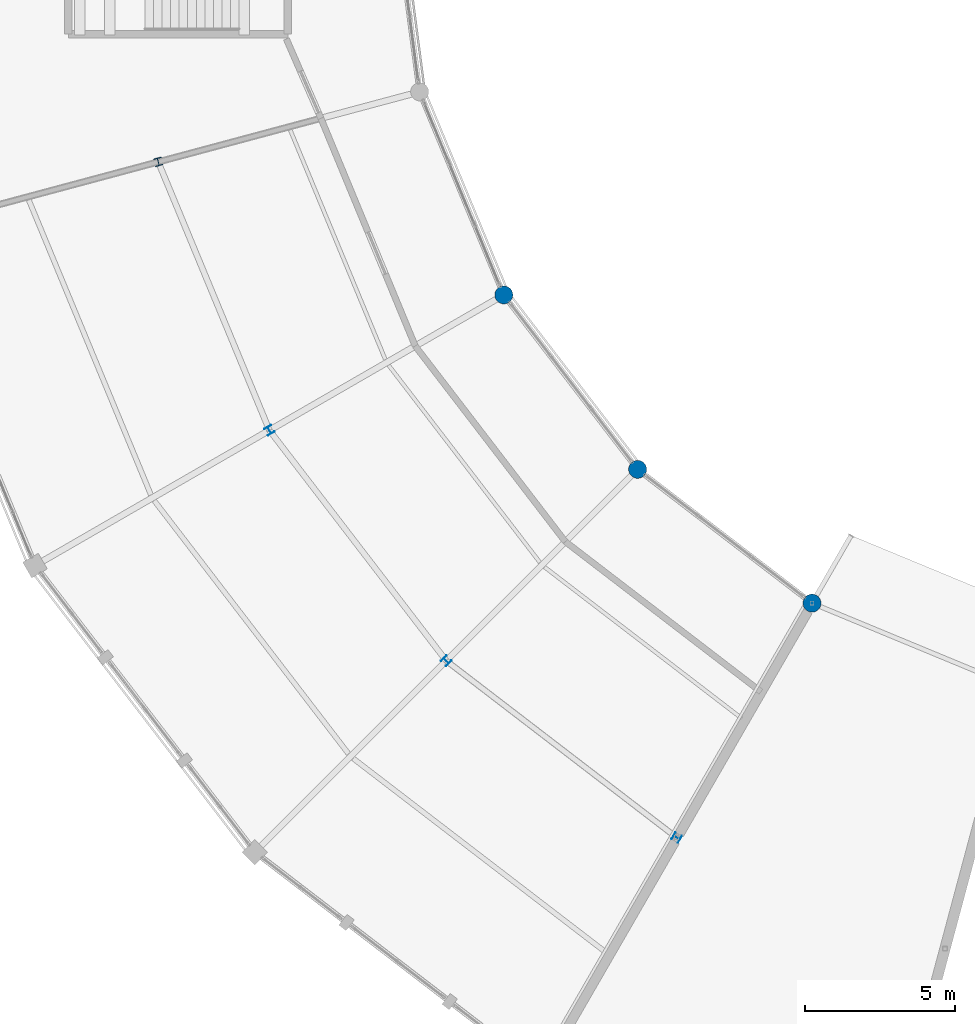
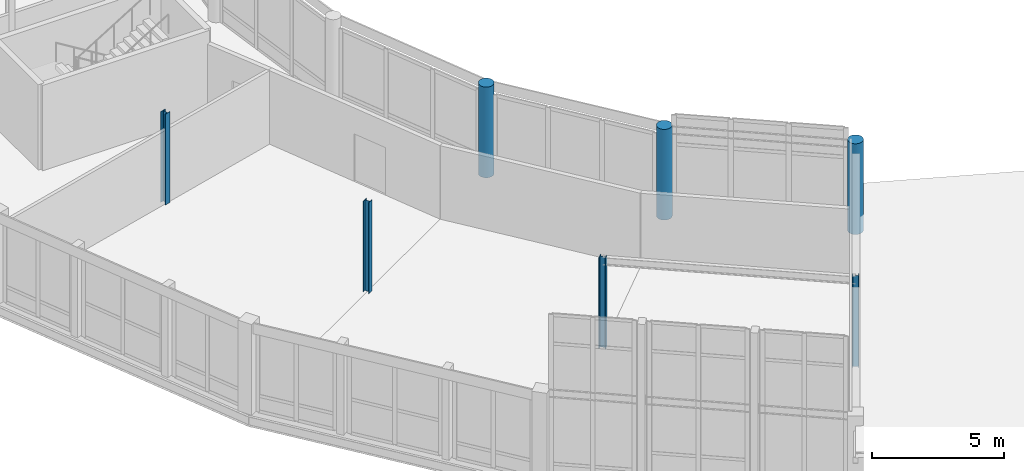
# One storey, part 4 of 185: 7 columns.
"""IFC4 building model written with IfcOpenShell, lengths in metres."""

from ifc_helpers import new_model, si_unit, direction, frame, origin, origin_2d, place, context, subcontext, project, spatial, circle, i_section, extrude, material, material_profile, profile_set, type_object, element, save


model = new_model("IFC4")

# Units and contexts
model_context = context("Model", 3, precision=1e-05, world=origin(), true_north=direction((0.0, 1.0)))
body_context = subcontext(model_context, "Body", "Model", "MODEL_VIEW")
ifc_project = project(units=[si_unit("LENGTHUNIT", "METRE"), si_unit("AREAUNIT", "SQUARE_METRE"), si_unit("VOLUMEUNIT", "CUBIC_METRE"), si_unit("PLANEANGLEUNIT", "RADIAN"), si_unit("MASSUNIT", "GRAM", prefix="KILO")], contexts=[model_context])

# Site, building, storey
site_placement = place(None, origin())
site = spatial("IfcSite", under=ifc_project, at=site_placement, CompositionType="ELEMENT")
building_placement = place(site_placement, origin())
building = spatial("IfcBuilding", under=site, at=building_placement, Name="Vondelvale Polytechnic", CompositionType="ELEMENT")
storey_placement = place(building_placement, frame((0.0, 0.0, 9.60009765625)))
storey = spatial("IfcBuildingStorey", under=building, at=storey_placement, Name="L02", CompositionType="ELEMENT", Elevation=9.60009765625)

# Columns
ifc_material_1 = material(Name="Concrete N50 (f'c = 50 MPa)", Category="concrete")
ifc_material_profile_1 = material_profile(ifc_material_1, circle(Radius=0.300048828125, at=origin_2d()), Name="RC-COL-D600")
ifc_profile_set_1 = profile_set([ifc_material_profile_1], Name="Concrete N50 (f'c = 50 MPa)")
column_type_1 = type_object("IfcColumnType", Name="COL-RCD600", PredefinedType="COLUMN", material=ifc_profile_set_1)
for number, where, z_axis, x_axis, name in (
    (1, (77.751220703125, 58.0, 0.0), (0.0, 0.0, 1.0), (0.866025403784, 0.5, 0.0), "L02 courtyard ring column S14-RI"),
    (2, (82.200927734375, 52.200927734375, 0.0), (0.0, 0.0, 1.0), (0.707106781187, 0.707106781187, 0.0), "L02 courtyard ring column S15-RI"),
    (3, (88.0, 47.751220703125, 0.0), (0.0, 0.0, 1.0), (0.5, 0.866025403784, 0.0), "L02 courtyard ring column S16-RI"),
):
    element("IfcColumn", number, at=place(storey_placement, frame(where, z_axis=z_axis, x_axis=x_axis)), inside=storey, type_object=column_type_1, Name=name, PredefinedType="COLUMN", context=body_context, shape_type="SweptSolid", body=[
        extrude(circle(Radius=0.300048828125, at=origin_2d()), origin(), (0.0, 0.0, 1.0), 4.199951171875),
    ])
ifc_material_2 = material(Name="Steel 300PLUS (fy = 300 MPa)", Category="steel")
ifc_material_profile_2 = material_profile(ifc_material_2, i_section(OverallWidth=0.256103515625, OverallDepth=0.260009765625, WebThickness=0.010498046875, FlangeThickness=0.017333984375, FilletRadius=0.013916015625, at=origin_2d()), Name="250UC89.5")
ifc_profile_set_2 = profile_set([ifc_material_profile_2], Name="Steel 300PLUS (fy = 300 MPa)")
column_type_2 = type_object("IfcColumnType", Name="COL-UC250", PredefinedType="COLUMN", material=ifc_profile_set_2)
for number, where, z_axis, x_axis, name in (
    (4, (66.2607421875, 62.423583984375, 0.0), (0.0, 0.0, 1.0), (0.965925826289, 0.258819045103, 0.0), "L02 courtyard ring column S13-RM"),
    (5, (69.95703125, 53.5, 0.0), (0.0, 0.0, 1.0), (0.866025403784, 0.5, 0.0), "L02 courtyard ring column S14-RM"),
    (6, (75.8369140625, 45.8369140625, 0.0), (0.0, 0.0, 1.0), (0.707106781187, 0.707106781187, 0.0), "L02 courtyard ring column S15-RM"),
    (7, (83.5, 39.95703125, 0.0), (0.0, 0.0, 1.0), (0.5, 0.866025403784, 0.0), "L02 courtyard ring column S16-RM"),
):
    element("IfcColumn", number, at=place(storey_placement, frame(where, z_axis=z_axis, x_axis=x_axis)), inside=storey, type_object=column_type_2, Name=name, PredefinedType="COLUMN", context=body_context, shape_type="SweptSolid", body=[
        extrude(i_section(OverallWidth=0.256103515625, OverallDepth=0.260009765625, WebThickness=0.010498046875, FlangeThickness=0.017333984375, FilletRadius=0.013916015625, at=origin_2d()), origin(), (0.0, 0.0, 1.0), 4.199951171875),
    ])

save(model, "model.ifc")
